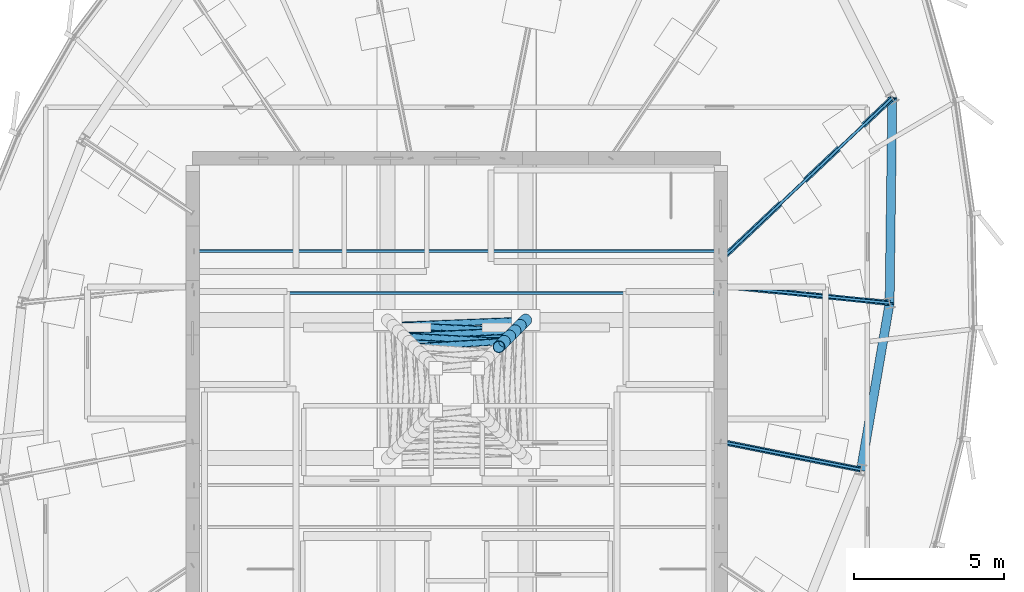
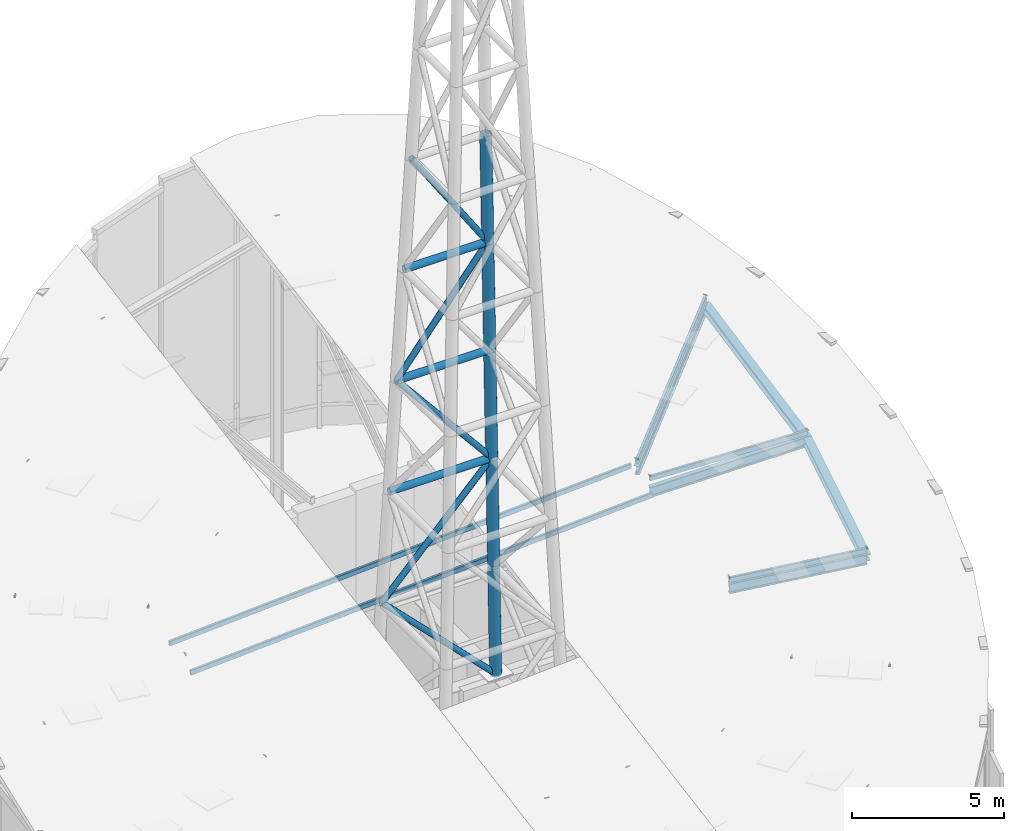
# One storey, part 14 of 36: 18 members, 5 beams.
"""IFC4 building model written with IfcOpenShell, lengths in metres."""

from ifc_helpers import new_model, si_unit, direction, frame, origin, origin_2d, place, context, subcontext, project, spatial, hollow_rectangle, hollow_circle, i_section, extrude, source, transform, mapped, material, material_profile, profile_set, type_object, element, save


model = new_model("IFC4")

# Units and contexts
model_context = context("Model", 3, precision=1e-05, world=origin(), true_north=direction((0.0, 1.0)))
body_context = subcontext(model_context, "Body", "Model", "MODEL_VIEW")
ifc_project = project(units=[si_unit("LENGTHUNIT", "METRE"), si_unit("AREAUNIT", "SQUARE_METRE"), si_unit("VOLUMEUNIT", "CUBIC_METRE"), si_unit("PLANEANGLEUNIT", "RADIAN"), si_unit("MASSUNIT", "GRAM", prefix="KILO"), si_unit("THERMODYNAMICTEMPERATUREUNIT", "KELVIN")], contexts=[model_context])

# Site, building, storey
site_placement = place(None, origin())
site = spatial("IfcSite", under=ifc_project, at=site_placement, CompositionType="ELEMENT")
building_placement = place(site_placement, origin())
building = spatial("IfcBuilding", under=site, at=building_placement, Name="Kethvar Cultural Tower", CompositionType="ELEMENT")
storey_placement = place(building_placement, frame((0.0, 0.0, 324.300048828125)))
storey = spatial("IfcBuildingStorey", under=building, at=storey_placement, Name="L86", CompositionType="ELEMENT", Elevation=324.300048828125)

# Beams
ifc_material_1 = material(Name="Steel S355J2", Category="steel")
ifc_material_profile_1 = material_profile(ifc_material_1, i_section(OverallWidth=0.179931640625, OverallDepth=0.39990234375, WebThickness=0.008544921875, FlangeThickness=0.013427734375, FilletRadius=0.02099609375, at=origin_2d()), Name="Steel S355J2 — IPE400")
ifc_profile_set_1 = profile_set([ifc_material_profile_1], Name="Steel S355J2 — IPE400")
beam_type_1 = type_object("IfcBeamType", Name="BM-IPE400", PredefinedType="BEAM", material=ifc_profile_set_1)
shared_shape_1 = source(origin(), body_context, "Body", "SweptSolid", [
    extrude(i_section(OverallWidth=0.179931640625, OverallDepth=0.39990234375, WebThickness=0.008544921875, FlangeThickness=0.013427734375, FilletRadius=0.02099609375, at=origin_2d()), origin(), (0.0, 0.0, 1.0), 5.6826171875),
])
beam_1_placement = place(storey_placement, frame((55.60009765625, 31.25, 8.511962890625), z_axis=(0.991945896696, -0.101776596183, 0.075398027143), x_axis=(0.102067128476, 0.994777513459, 0.0)))
element("IfcBeam", 1, at=beam_1_placement, inside=storey, type_object=beam_type_1, Name="Crown Sloped Radial Rafter RB-01", PredefinedType="BEAM", context=body_context, shape_type="MappedRepresentation", body=[
    mapped(shared_shape_1, transform((0.0, 0.0, 0.0), scale=1.0)),
])
ifc_material_profile_2 = material_profile(ifc_material_1, i_section(OverallWidth=0.300048828125, OverallDepth=0.300048828125, WebThickness=0.010986328125, FlangeThickness=0.01904296875, FilletRadius=0.027099609375, at=origin_2d()), Name="Steel S355J2 — HEB300")
ifc_profile_set_2 = profile_set([ifc_material_profile_2], Name="Steel S355J2 — HEB300")
beam_type_2 = type_object("IfcBeamType", Name="BM-SP300", PredefinedType="SPANDREL", material=ifc_profile_set_2)
shared_shape_2 = source(origin(), body_context, "Body", "SweptSolid", [
    extrude(i_section(OverallWidth=0.300048828125, OverallDepth=0.300048828125, WebThickness=0.010986328125, FlangeThickness=0.01904296875, FilletRadius=0.027099609375, at=origin_2d()), origin(), (0.0, 0.0, 1.0), 6.940673828125),
])
beam_2_placement = place(storey_placement, frame((61.237060546875, 30.671630859375, 8.9404296875), z_axis=(0.012768693651, 0.984666780638, 0.173977847928), x_axis=(-0.999915932216, 0.012966437445, 0.0)))
element("IfcBeam", 2, at=beam_2_placement, inside=storey, type_object=beam_type_2, Name="Crown Sloped Eave Ring Beam SP-01", PredefinedType="SPANDREL", context=body_context, shape_type="MappedRepresentation", body=[
    mapped(shared_shape_2, transform((0.0, 0.0, 0.0), scale=1.0)),
])
shared_shape_3 = source(origin(), body_context, "Body", "SweptSolid", [
    extrude(i_section(OverallWidth=0.179931640625, OverallDepth=0.39990234375, WebThickness=0.008544921875, FlangeThickness=0.013427734375, FilletRadius=0.02099609375, at=origin_2d()), origin(), (0.0, 0.0, 1.0), 7.983642578125),
])
beam_3_placement = place(storey_placement, frame((55.60009765625, 32.10009765625, 8.830810546875), z_axis=(0.717159552022, 0.6770998977, 0.164978500049), x_axis=(-0.686506990823, 0.727123202456, 0.0)))
element("IfcBeam", 3, at=beam_3_placement, inside=storey, type_object=beam_type_1, Name="Crown Sloped Radial Rafter RB-02", PredefinedType="BEAM", context=body_context, shape_type="MappedRepresentation", body=[
    mapped(shared_shape_3, transform((0.0, 0.0, 0.0), scale=1.0)),
])
shared_shape_4 = source(origin(), body_context, "Body", "SweptSolid", [
    extrude(i_section(OverallWidth=0.179931640625, OverallDepth=0.39990234375, WebThickness=0.008544921875, FlangeThickness=0.013427734375, FilletRadius=0.02099609375, at=origin_2d()), origin(), (0.0, 0.0, 1.0), 4.7763671875),
])
beam_4_placement = place(storey_placement, frame((55.60009765625, 26.049560546875, 7.804931640625), z_axis=(0.980552113999, -0.195047272051, 0.02177414515), x_axis=(0.195093525761, 0.980784643133, 0.0)))
element("IfcBeam", 4, at=beam_4_placement, inside=storey, type_object=beam_type_1, Name="Crown Sloped Radial Rafter RB-16", PredefinedType="BEAM", context=body_context, shape_type="MappedRepresentation", body=[
    mapped(shared_shape_4, transform((0.0, 0.0, 0.0), scale=1.0)),
])
shared_shape_5 = source(origin(), body_context, "Body", "SweptSolid", [
    extrude(i_section(OverallWidth=0.300048828125, OverallDepth=0.300048828125, WebThickness=0.010986328125, FlangeThickness=0.01904296875, FilletRadius=0.027099609375, at=origin_2d()), origin(), (0.0, 0.0, 1.0), 5.728515625),
])
beam_5_placement = place(storey_placement, frame((60.28369140625, 25.117919921875, 7.908935546875), z_axis=(0.166423369738, 0.969474728505, 0.180061136273), x_axis=(-0.985583678834, 0.169188687614, 0.0)))
element("IfcBeam", 5, at=beam_5_placement, inside=storey, type_object=beam_type_2, Name="Crown Sloped Eave Ring Beam SP-16", PredefinedType="SPANDREL", context=body_context, shape_type="MappedRepresentation", body=[
    mapped(shared_shape_5, transform((0.0, 0.0, 0.0), scale=1.0)),
])

# Members
ifc_material_profile_3 = material_profile(ifc_material_1, hollow_rectangle(XDim=0.10009765625, YDim=0.199951171875, WallThickness=0.008056640625, InnerFilletRadius=0.008056640625, OuterFilletRadius=0.01611328125, at=origin_2d()), Name="Steel S355J2 — RHS200x100x8")
ifc_profile_set_3 = profile_set([ifc_material_profile_3], Name="Steel S355J2 — RHS200x100x8")
member_type_1 = type_object("IfcMemberType", Name="MB-PUR-200", PredefinedType="PURLIN", material=ifc_profile_set_3)
shared_shape_6 = source(origin(), body_context, "Body", "SweptSolid", [
    extrude(hollow_rectangle(XDim=0.10009765625, YDim=0.199951171875, WallThickness=0.008056640625, InnerFilletRadius=0.008056640625, OuterFilletRadius=0.01611328125, at=origin_2d()), origin(), (0.0, 0.0, 1.0), 17.52880859375),
])
for number, where, z_axis, x_axis, name in (
    (6, (38.050048828125, 31.0, 7.545654296875), (0.998350643671, 0.0, 0.057410733164), (0.0, 1.0, 0.0), "Crown Roof Purlin PR-09"),
    (7, (38.050048828125, 32.39990234375, 7.86474609375), (0.998351441866, 0.0, 0.057396851171), (0.0, 1.0, 0.0), "Crown Roof Purlin PR-10"),
):
    element("IfcMember", number, at=place(storey_placement, frame(where, z_axis=z_axis, x_axis=x_axis)), inside=storey, type_object=member_type_1, Name=name, PredefinedType="PURLIN", context=body_context, shape_type="MappedRepresentation", body=[
        mapped(shared_shape_6, transform((0.0, 0.0, 0.0), scale=1.0)),
    ])
ifc_material_profile_4 = material_profile(ifc_material_1, hollow_rectangle(XDim=0.10009765625, YDim=0.199951171875, WallThickness=0.008056640625, InnerFilletRadius=0.008056640625, OuterFilletRadius=0.01611328125, at=origin_2d()), Name="Steel S355J2 — RHS200x100x8")
ifc_profile_set_4 = profile_set([ifc_material_profile_4], Name="Steel S355J2 — RHS200x100x8")
member_type_2 = type_object("IfcMemberType", Name="MB-GLAZ-200", PredefinedType="PURLIN", material=ifc_profile_set_4)
shared_shape_7 = source(origin(), body_context, "Body", "SweptSolid", [
    extrude(hollow_rectangle(XDim=0.10009765625, YDim=0.199951171875, WallThickness=0.008056640625, InnerFilletRadius=0.008056640625, OuterFilletRadius=0.01611328125, at=origin_2d()), origin(), (0.0, 0.0, 1.0), 5.6708984375),
])
member_1_placement = place(storey_placement, frame((55.60009765625, 31.25, 9.0400390625), z_axis=(0.994025508924, -0.101989970576, 0.038875873124), x_axis=(0.102067128476, 0.994777513459, 0.0)))
element("IfcMember", 8, at=member_1_placement, inside=storey, type_object=member_type_2, Name="Sloped Crown Skylight Glazing Mullion Bar GB-01", PredefinedType="PURLIN", context=body_context, shape_type="MappedRepresentation", body=[
    mapped(shared_shape_7, transform((0.0, 0.0, 0.0), scale=1.0)),
])
shared_shape_8 = source(origin(), body_context, "Body", "SweptSolid", [
    extrude(hollow_rectangle(XDim=0.10009765625, YDim=0.199951171875, WallThickness=0.008056640625, InnerFilletRadius=0.008056640625, OuterFilletRadius=0.01611328125, at=origin_2d()), origin(), (0.0, 0.0, 1.0), 7.9775390625),
])
member_2_placement = place(storey_placement, frame((55.60009765625, 32.10009765625, 9.189453125), z_axis=(0.717723503433, 0.677632347477, 0.160272812019), x_axis=(-0.686506990823, 0.727123202456, 0.0)))
element("IfcMember", 9, at=member_2_placement, inside=storey, type_object=member_type_2, Name="Sloped Crown Skylight Glazing Mullion Bar GB-02", PredefinedType="PURLIN", context=body_context, shape_type="MappedRepresentation", body=[
    mapped(shared_shape_8, transform((0.0, 0.0, 0.0), scale=1.0)),
])
shared_shape_9 = source(origin(), body_context, "Body", "SweptSolid", [
    extrude(hollow_rectangle(XDim=0.10009765625, YDim=0.199951171875, WallThickness=0.008056640625, InnerFilletRadius=0.008056640625, OuterFilletRadius=0.01611328125, at=origin_2d()), origin(), (0.0, 0.0, 1.0), 4.7763671875),
])
member_3_placement = place(storey_placement, frame((55.60009765625, 26.049560546875, 8.125), z_axis=(0.980553204018, -0.195047488873, 0.021723056282), x_axis=(0.195093525761, 0.980784643133, 0.0)))
element("IfcMember", 10, at=member_3_placement, inside=storey, type_object=member_type_2, Name="Sloped Crown Skylight Glazing Mullion Bar GB-16", PredefinedType="PURLIN", context=body_context, shape_type="MappedRepresentation", body=[
    mapped(shared_shape_9, transform((0.0, 0.0, 0.0), scale=1.0)),
])
ifc_material_2 = material(Name="Steel S460M", Category="steel")
ifc_material_profile_5 = material_profile(ifc_material_2, hollow_circle(Radius=0.203125, WallThickness=0.02001953125, at=origin_2d()), Name="Steel S460M — CHS406x20")
ifc_profile_set_5 = profile_set([ifc_material_profile_5], Name="Steel S460M — CHS406x20")
member_type_3 = type_object("IfcMemberType", Name="MB-MAST-LEG", PredefinedType="CHORD", material=ifc_profile_set_5)
shared_shape_10 = source(origin(), body_context, "Body", "SweptSolid", [
    extrude(hollow_circle(Radius=0.203125, WallThickness=0.02001953125, at=origin_2d()), origin(), (0.0, 0.0, 1.0), 4.507080078125),
])
for number, where, z_axis, x_axis, name in (
    (11, (49.10009765625, 30.10009765625, 4.179931640625), (-0.039489058164, -0.039489058164, 0.998439396544), (0.707106781187, -0.707106781187, 0.0), "Broadcast Mast Leg T1-L3"),
    (12, (48.922119140625, 29.922119140625, 8.679931640625), (-0.039435057954, -0.039435057954, 0.998443665115), (0.707106781187, -0.707106781187, 0.0), "Broadcast Mast Leg T2-L3"),
    (13, (48.744384765625, 29.744384765625, 13.179931640625), (-0.039435057954, -0.039435057954, 0.998443665115), (0.707106781187, -0.707106781187, 0.0), "Broadcast Mast Leg T3-L3"),
    (14, (48.566650390625, 29.566650390625, 17.679931640625), (-0.039435057954, -0.039435057954, 0.998443665115), (0.707106781187, -0.707106781187, 0.0), "Broadcast Mast Leg T4-L3"),
    (15, (48.388916015625, 29.388916015625, 22.179931640625), (-0.039435057954, -0.039435057954, 0.998443665115), (0.707106781187, -0.707106781187, 0.0), "Broadcast Mast Leg T5-L3"),
):
    element("IfcMember", number, at=place(storey_placement, frame(where, z_axis=z_axis, x_axis=x_axis)), inside=storey, type_object=member_type_3, Name=name, PredefinedType="CHORD", context=body_context, shape_type="MappedRepresentation", body=[
        mapped(shared_shape_10, transform((0.0, 0.0, 0.0), scale=1.0)),
    ])
ifc_material_profile_6 = material_profile(ifc_material_1, hollow_circle(Radius=0.109619140625, WallThickness=0.010009765625, at=origin_2d()), Name="Steel S355J2 — CHS219x10")
ifc_profile_set_6 = profile_set([ifc_material_profile_6], Name="Steel S355J2 — CHS219x10")
member_type_4 = type_object("IfcMemberType", Name="MB-MAST-BR", PredefinedType="BRACE", material=ifc_profile_set_6)
shared_shape_11 = source(origin(), body_context, "Body", "SweptSolid", [
    extrude(hollow_circle(Radius=0.109619140625, WallThickness=0.010009765625, at=origin_2d()), origin(), (0.0, 0.0, 1.0), 6.311767578125),
])
member_4_placement = place(storey_placement, frame((49.10009765625, 30.10009765625, 4.179931640625), z_axis=(-0.700648741729, -0.028197688678, 0.712948968066), x_axis=(0.040212561927, -0.999191147811, 0.0)))
element("IfcMember", 16, at=member_4_placement, inside=storey, type_object=member_type_4, Name="Broadcast Mast Face Brace T1-D3", PredefinedType="BRACE", context=body_context, shape_type="MappedRepresentation", body=[
    mapped(shared_shape_11, transform((0.0, 0.0, 0.0), scale=1.0)),
])
ifc_material_profile_7 = material_profile(ifc_material_1, hollow_circle(Radius=0.136474609375, WallThickness=0.012451171875, at=origin_2d()), Name="Steel S355J2 — CHS273x12.5")
ifc_profile_set_7 = profile_set([ifc_material_profile_7], Name="Steel S355J2 — CHS273x12.5")
member_type_5 = type_object("IfcMemberType", Name="MB-MAST-STR", PredefinedType="STRUT", material=ifc_profile_set_7)
shared_shape_12 = source(origin(), body_context, "Body", "SweptSolid", [
    extrude(hollow_circle(Radius=0.136474609375, WallThickness=0.012451171875, at=origin_2d()), origin(), (0.0, 0.0, 1.0), 3.888671875),
])
member_5_placement = place(storey_placement, frame((48.744384765625, 29.744384765625, 13.179931640625), z_axis=(-1.0, 0.0, 0.0), x_axis=(0.0, -1.0, 0.0)))
element("IfcMember", 17, at=member_5_placement, inside=storey, type_object=member_type_5, Name="Broadcast Mast Ring Strut T2-S3", PredefinedType="STRUT", context=body_context, shape_type="MappedRepresentation", body=[
    mapped(shared_shape_12, transform((0.0, 0.0, 0.0), scale=1.0)),
])
shared_shape_13 = source(origin(), body_context, "Body", "SweptSolid", [
    extrude(hollow_circle(Radius=0.109619140625, WallThickness=0.010009765625, at=origin_2d()), origin(), (0.0, 0.0, 1.0), 6.06787109375),
])
member_6_placement = place(storey_placement, frame((44.677734375, 29.922119140625, 8.679931640625), z_axis=(0.67019233716, -0.029290990061, 0.741609242872), x_axis=(0.043663666757, 0.999046287319, 0.0)))
element("IfcMember", 18, at=member_6_placement, inside=storey, type_object=member_type_4, Name="Broadcast Mast Face Brace T2-D3", PredefinedType="BRACE", context=body_context, shape_type="MappedRepresentation", body=[
    mapped(shared_shape_13, transform((0.0, 0.0, 0.0), scale=1.0)),
])
shared_shape_14 = source(origin(), body_context, "Body", "SweptSolid", [
    extrude(hollow_circle(Radius=0.136474609375, WallThickness=0.012451171875, at=origin_2d()), origin(), (0.0, 0.0, 1.0), 3.533447265625),
])
member_7_placement = place(storey_placement, frame((48.566650390625, 29.566650390625, 17.679931640625), z_axis=(-1.0, 0.0, 0.0), x_axis=(0.0, -1.0, 0.0)))
element("IfcMember", 19, at=member_7_placement, inside=storey, type_object=member_type_5, Name="Broadcast Mast Ring Strut T3-S3", PredefinedType="STRUT", context=body_context, shape_type="MappedRepresentation", body=[
    mapped(shared_shape_14, transform((0.0, 0.0, 0.0), scale=1.0)),
])
shared_shape_15 = source(origin(), body_context, "Body", "SweptSolid", [
    extrude(hollow_circle(Radius=0.109619140625, WallThickness=0.010009765625, at=origin_2d()), origin(), (0.0, 0.0, 1.0), 5.835693359375),
])
member_8_placement = place(storey_placement, frame((48.744384765625, 29.744384765625, 13.179931640625), z_axis=(-0.635953292951, -0.030456811872, 0.771126313774), x_axis=(0.04783675821, -0.998855166961, 0.0)))
element("IfcMember", 20, at=member_8_placement, inside=storey, type_object=member_type_4, Name="Broadcast Mast Face Brace T3-D3", PredefinedType="BRACE", context=body_context, shape_type="MappedRepresentation", body=[
    mapped(shared_shape_15, transform((0.0, 0.0, 0.0), scale=1.0)),
])
shared_shape_16 = source(origin(), body_context, "Body", "SweptSolid", [
    extrude(hollow_circle(Radius=0.136474609375, WallThickness=0.012451171875, at=origin_2d()), origin(), (0.0, 0.0, 1.0), 3.177734375),
])
member_9_placement = place(storey_placement, frame((48.388916015625, 29.388916015625, 22.179931640625), z_axis=(-1.0, 0.0, 0.0), x_axis=(0.0, -1.0, 0.0)))
element("IfcMember", 21, at=member_9_placement, inside=storey, type_object=member_type_5, Name="Broadcast Mast Ring Strut T4-S3", PredefinedType="STRUT", context=body_context, shape_type="MappedRepresentation", body=[
    mapped(shared_shape_16, transform((0.0, 0.0, 0.0), scale=1.0)),
])
shared_shape_17 = source(origin(), body_context, "Body", "SweptSolid", [
    extrude(hollow_circle(Radius=0.109619140625, WallThickness=0.010009765625, at=origin_2d()), origin(), (0.0, 0.0, 1.0), 5.6162109375),
])
member_10_placement = place(storey_placement, frame((45.033203125, 29.566650390625, 17.679931640625), z_axis=(0.597499352545, -0.031646382587, 0.8012446756), x_axis=(0.052890580456, 0.998600313689, 0.0)))
element("IfcMember", 22, at=member_10_placement, inside=storey, type_object=member_type_4, Name="Broadcast Mast Face Brace T4-D3", PredefinedType="BRACE", context=body_context, shape_type="MappedRepresentation", body=[
    mapped(shared_shape_17, transform((0.0, 0.0, 0.0), scale=1.0)),
])
shared_shape_18 = source(origin(), body_context, "Body", "SweptSolid", [
    extrude(hollow_circle(Radius=0.109619140625, WallThickness=0.010009765625, at=origin_2d()), origin(), (0.0, 0.0, 1.0), 5.4111328125),
])
member_11_placement = place(storey_placement, frame((48.388916015625, 29.388916015625, 22.179931640625), z_axis=(-0.554400905184, -0.032845366127, 0.831601357776), x_axis=(0.059141091583, -0.998249633752, 0.0)))
element("IfcMember", 23, at=member_11_placement, inside=storey, type_object=member_type_4, Name="Broadcast Mast Face Brace T5-D3", PredefinedType="BRACE", context=body_context, shape_type="MappedRepresentation", body=[
    mapped(shared_shape_18, transform((0.0, 0.0, 0.0), scale=1.0)),
])

save(model, "model.ifc")
